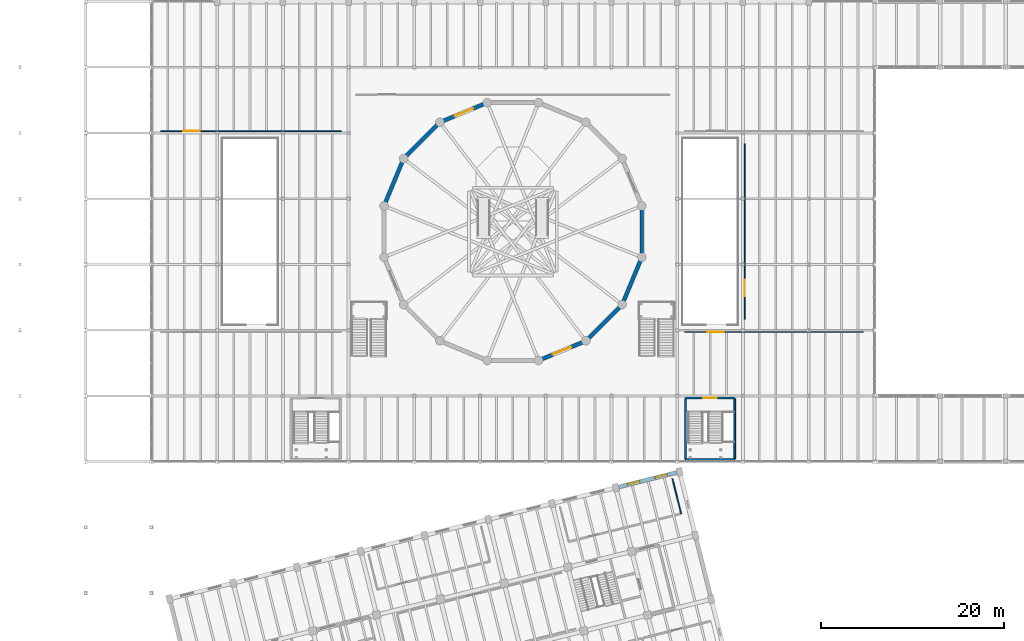
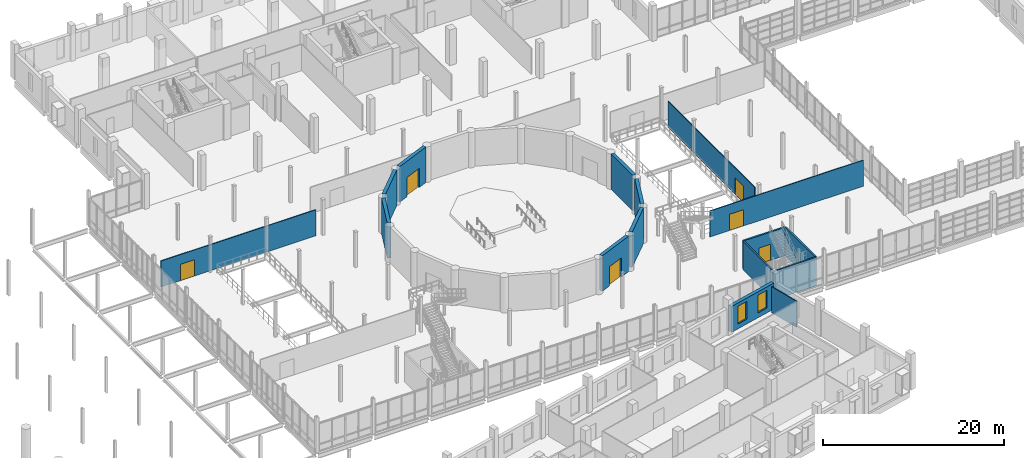
# One storey, part 64 of 77: 16 walls, 6 doors, 2 windows, 8 openings.
"""IFC4 building model written with IfcOpenShell, lengths in metres."""

from ifc_helpers import new_model, si_unit, direction, frame, frame_2d, origin, place, context, subcontext, project, spatial, rectangle, extrude, material, layer, layer_set, type_object, element, fill, save


model = new_model("IFC4")

# Units and contexts
model_context = context("Model", 3, precision=1e-05, world=origin(), true_north=direction((0.0, 1.0)))
body_context = subcontext(model_context, "Body", "Model", "MODEL_VIEW")
ifc_project = project(units=[si_unit("LENGTHUNIT", "METRE"), si_unit("AREAUNIT", "SQUARE_METRE"), si_unit("VOLUMEUNIT", "CUBIC_METRE"), si_unit("PLANEANGLEUNIT", "RADIAN"), si_unit("MASSUNIT", "GRAM", prefix="KILO")], contexts=[model_context])

# Site, building, storey
site_placement = place(None, origin())
site = spatial("IfcSite", under=ifc_project, at=site_placement, CompositionType="ELEMENT")
building_placement = place(site_placement, origin())
building = spatial("IfcBuilding", under=site, at=building_placement, Name="Qiaolan Assembly House", CompositionType="ELEMENT")
storey_placement = place(building_placement, frame((0.0, 0.0, 5.39990234375)))
storey = spatial("IfcBuildingStorey", under=building, at=storey_placement, Name="L01", CompositionType="ELEMENT", Elevation=5.39990234375)

# Wall, opening, door
ifc_material_1 = material(Name="Concrete C50/60", Category="concrete")
ifc_layer_1 = layer(ifc_material_1, 0.419921875)
ifc_layer_set_1 = layer_set([ifc_layer_1], Name="Concrete C50/60")
wall_type_1 = type_object("IfcWallType", Name="WAL-DRUM-420", PredefinedType="SHEAR", material=ifc_layer_set_1)
wall_1_placement = place(storey_placement, frame((60.769287109375, 73.326171875, 0.0), z_axis=(0.0, 0.0, 1.0), x_axis=(0.923882834003, 0.382675461762, 0.0)))
wall_1 = element("IfcWall", 1, at=wall_1_placement, inside=storey, type_object=wall_type_1, Name="DW-420 council chamber drum wall 5 L01", PredefinedType="SHEAR", context=body_context, shape_type="SweptSolid", body=[
    extrude(rectangle(XDim=4.818603515625, YDim=0.419921875, at=frame_2d((2.4091796875, 0.0))), origin(), (0.0, 0.0, 1.0), 4.800048828125),
])
opening_1_placement = place(wall_1_placement, frame((1.35009765625, 0.0, 0.0)))
opening_1 = element("IfcOpeningElement", 2, at=opening_1_placement, cuts=wall_1, Name="Opening CD-146", PredefinedType="OPENING", context=body_context, shape_type="SweptSolid", body=[
    extrude(rectangle(XDim=2.199951171875, YDim=2.60009765625, at=frame_2d((1.10009765625, 1.300048828125))), frame((0.0, 0.219970703125, 0.0), z_axis=(0.0, -1.0, 0.0), x_axis=(1.0, 0.0, 0.0)), (0.0, 0.0, 1.0), 0.43994140625),
])
ifc_material_2 = material(Name="Acoustic oak panelling")
door_type_1 = type_object("IfcDoorType", Name="DOR-CHAMBER-2200", OperationType="DOUBLE_DOOR_SINGLE_SWING", PredefinedType="DOOR", material=ifc_material_2)
door_1_placement = place(opening_1_placement, origin())
door_1 = element("IfcDoor", 3, at=door_1_placement, inside=storey, type_object=door_type_1, Name="Council Chamber ceremonial acoustic door CD-146", OperationType="DOUBLE_DOOR_SINGLE_SWING", OverallHeight=2.60009765625, OverallWidth=2.199951171875, PredefinedType="DOOR", context=body_context, shape_type="SweptSolid", body=[
    extrude(rectangle(XDim=2.199951171875, YDim=2.60009765625, at=frame_2d((1.10009765625, 1.300048828125))), frame((0.0, 0.02490234375, 0.0), z_axis=(0.0, -1.0, 0.0), x_axis=(1.0, 0.0, 0.0)), (0.0, 0.0, 1.0), 0.050048828125),
])
fill(opening_1, door_1)

# Walls
wall_2_placement = place(storey_placement, frame((56.709716796875, 69.483154296875, 0.0), z_axis=(0.0, 0.0, 1.0), x_axis=(0.707106781187, 0.707106781187, 0.0)))
element("IfcWall", 4, at=wall_2_placement, inside=storey, type_object=wall_type_1, Name="DW-420 council chamber drum wall 6 L01", PredefinedType="SHEAR", context=body_context, shape_type="SweptSolid", body=[
    extrude(rectangle(XDim=4.818603515625, YDim=0.419921875, at=frame_2d((2.4091796875, 0.0))), origin(), (0.0, 0.0, 1.0), 4.800048828125),
])
wall_3_placement = place(storey_placement, frame((54.4296875, 64.37890625, 0.0), z_axis=(0.0, 0.0, 1.0), x_axis=(0.382693375129, 0.923875414021, 0.0)))
element("IfcWall", 5, at=wall_3_placement, inside=storey, type_object=wall_type_1, Name="DW-420 council chamber drum wall 7 L01", PredefinedType="SHEAR", context=body_context, shape_type="SweptSolid", body=[
    extrude(rectangle(XDim=4.818359375, YDim=0.419921875, at=frame_2d((2.4091796875, 0.0))), origin(), (0.0, 0.0, 1.0), 4.800048828125),
])

# Wall, opening, door
wall_4_placement = place(storey_placement, frame((76.03076171875, 49.07373046875, 0.0), z_axis=(0.0, 0.0, 1.0), x_axis=(-0.923882834003, -0.382675461762, 0.0)))
wall_4 = element("IfcWall", 6, at=wall_4_placement, inside=storey, type_object=wall_type_1, Name="DW-420 council chamber drum wall 13 L01", PredefinedType="SHEAR", context=body_context, shape_type="SweptSolid", body=[
    extrude(rectangle(XDim=4.818603515625, YDim=0.419921875, at=frame_2d((2.4091796875, 0.0))), origin(), (0.0, 0.0, 1.0), 4.800048828125),
])
opening_2_placement = place(wall_4_placement, frame((1.35009765625, 0.0, 0.0)))
opening_2 = element("IfcOpeningElement", 7, at=opening_2_placement, cuts=wall_4, Name="Opening CD-152", PredefinedType="OPENING", context=body_context, shape_type="SweptSolid", body=[
    extrude(rectangle(XDim=2.199951171875, YDim=2.60009765625, at=frame_2d((1.10009765625, 1.300048828125))), frame((0.0, 0.219970703125, 0.0), z_axis=(0.0, -1.0, 0.0), x_axis=(1.0, 0.0, 0.0)), (0.0, 0.0, 1.0), 0.43994140625),
])
door_2_placement = place(opening_2_placement, origin())
door_2 = element("IfcDoor", 8, at=door_2_placement, inside=storey, type_object=door_type_1, Name="Council Chamber ceremonial acoustic door CD-152", OperationType="DOUBLE_DOOR_SINGLE_SWING", OverallHeight=2.60009765625, OverallWidth=2.199951171875, PredefinedType="DOOR", context=body_context, shape_type="SweptSolid", body=[
    extrude(rectangle(XDim=2.199951171875, YDim=2.60009765625, at=frame_2d((1.10009765625, 1.300048828125))), frame((0.0, 0.02490234375, 0.0), z_axis=(0.0, -1.0, 0.0), x_axis=(1.0, 0.0, 0.0)), (0.0, 0.0, 1.0), 0.050048828125),
])
fill(opening_2, door_2)

# Walls
for number, where, z_axis, x_axis, name in (
    (9, (80.09033203125, 52.9169921875, 0.0), (0.0, 0.0, 1.0), (-0.707106781187, -0.707106781187, 0.0), "DW-420 council chamber drum wall 14 L01"),
    (10, (82.3701171875, 58.021240234375, 0.0), (0.0, 0.0, 1.0), (-0.382675461762, -0.923882834003, 0.0), "DW-420 council chamber drum wall 15 L01"),
    (11, (82.523193359375, 63.609375, 0.0), (0.0, 0.0, 1.0), (0.0, -1.0, 0.0), "DW-420 council chamber drum wall 16 L01"),
):
    element("IfcWall", number, at=place(storey_placement, frame(where, z_axis=z_axis, x_axis=x_axis)), inside=storey, type_object=wall_type_1, Name=name, PredefinedType="SHEAR", context=body_context, shape_type="SweptSolid", body=[
        extrude(rectangle(XDim=4.818603515625, YDim=0.419921875, at=frame_2d((2.4091796875, 0.0))), origin(), (0.0, 0.0, 1.0), 4.800048828125),
    ])

# Wall, openings, windows
ifc_material_3 = material(Name="Honed pale limestone", Category="masonry")
ifc_layer_2 = layer(ifc_material_3, 0.43505859375)
ifc_layer_set_2 = layer_set([ifc_layer_2], Name="Honed pale limestone")
wall_type_2 = type_object("IfcWallType", Name="WAL-EXT-RUSTIC-420", PredefinedType="SOLIDWALL", material=ifc_layer_set_2)
wall_5_placement = place(storey_placement, frame((86.35009765625, 34.81494140625, 0.0), z_axis=(0.0, 0.0, 1.0), x_axis=(-0.970300061562, -0.241904507055, 0.0)))
wall_5 = element("IfcWall", 12, at=wall_5_placement, inside=storey, type_object=wall_type_2, Name="EW-420 SE North court wall L01 bay 8", PredefinedType="SOLIDWALL", context=body_context, shape_type="SweptSolid", body=[
    extrude(rectangle(XDim=6.553955078125, YDim=0.43505859375, at=frame_2d((3.27685546875, 0.0))), origin(), (0.0, 0.0, 1.0), 3.5),
])
opening_3_placement = place(wall_5_placement, frame((1.076904296875, 0.0, 0.64990234375)))
opening_3 = element("IfcOpeningElement", 13, at=opening_3_placement, cuts=wall_5, Name="Opening WN-276", PredefinedType="OPENING", context=body_context, shape_type="SweptSolid", body=[
    extrude(rectangle(XDim=1.35009765625, YDim=2.39990234375, at=frame_2d((0.675048828125, 1.199951171875))), frame((0.0, 0.2275390625, 0.0), z_axis=(0.0, -1.0, 0.0), x_axis=(1.0, 0.0, 0.0)), (0.0, 0.0, 1.0), 0.455078125),
])
opening_4_placement = place(wall_5_placement, frame((4.177001953125, 0.0, 0.64990234375)))
opening_4 = element("IfcOpeningElement", 14, at=opening_4_placement, cuts=wall_5, Name="Opening WN-277", PredefinedType="OPENING", context=body_context, shape_type="SweptSolid", body=[
    extrude(rectangle(XDim=1.35009765625, YDim=2.39990234375, at=frame_2d((0.675048828125, 1.199951171875))), frame((0.0, 0.2275390625, 0.0), z_axis=(0.0, -1.0, 0.0), x_axis=(1.0, 0.0, 0.0)), (0.0, 0.0, 1.0), 0.455078125),
])
ifc_material_4 = material(Name="Low-E double insulating glass", Category="glass")
window_type = type_object("IfcWindowType", Name="WIN-COURT-1350x2400", PartitioningType="DOUBLE_PANEL_VERTICAL", PredefinedType="WINDOW", material=ifc_material_4)
window_1_placement = place(opening_3_placement, origin())
window_1 = element("IfcWindow", 15, at=window_1_placement, inside=storey, type_object=window_type, Name="SE court window WN-276", OverallHeight=2.39990234375, OverallWidth=1.35009765625, PartitioningType="DOUBLE_PANEL_VERTICAL", PredefinedType="WINDOW", context=body_context, shape_type="SweptSolid", body=[
    extrude(rectangle(XDim=1.35009765625, YDim=2.39990234375, at=frame_2d((0.675048828125, 1.199951171875))), frame((0.0, 0.030029296875, 0.0), z_axis=(0.0, -1.0, 0.0), x_axis=(1.0, 0.0, 0.0)), (0.0, 0.0, 1.0), 0.06005859375),
])
fill(opening_3, window_1)
window_2_placement = place(opening_4_placement, origin())
window_2 = element("IfcWindow", 16, at=window_2_placement, inside=storey, type_object=window_type, Name="SE court window WN-277", OverallHeight=2.39990234375, OverallWidth=1.35009765625, PartitioningType="DOUBLE_PANEL_VERTICAL", PredefinedType="WINDOW", context=body_context, shape_type="SweptSolid", body=[
    extrude(rectangle(XDim=1.35009765625, YDim=2.39990234375, at=frame_2d((0.675048828125, 1.199951171875))), frame((0.0, 0.030029296875, 0.0), z_axis=(0.0, -1.0, 0.0), x_axis=(1.0, 0.0, 0.0)), (0.0, 0.0, 1.0), 0.06005859375),
])
fill(opening_4, window_2)

# Wall, opening, door
ifc_material_5 = material(Name="Concrete C35/45", Category="concrete")
ifc_layer_3 = layer(ifc_material_5, 0.199951171875)
ifc_layer_set_3 = layer_set([ifc_layer_3], Name="Concrete C35/45")
wall_type_3 = type_object("IfcWallType", Name="WAL-LOBBY-200", PredefinedType="PARTITIONING", material=ifc_layer_set_3)
wall_6_placement = place(storey_placement, frame((87.300048828125, 42.97998046875, 0.0), z_axis=(0.0, 0.0, 1.0), x_axis=(1.0, 0.0, 0.0)))
wall_6 = element("IfcWall", 17, at=wall_6_placement, inside=storey, type_object=wall_type_3, Name="LW-200 foyer stairwell north wall F2 L01", PredefinedType="PARTITIONING", context=body_context, shape_type="SweptSolid", body=[
    extrude(rectangle(XDim=5.39990234375, YDim=0.199951171875, at=frame_2d((2.699951171875, 0.0))), origin(), (0.0, 0.0, 1.0), 3.85009765625),
])
opening_5_placement = place(wall_6_placement, frame((1.949951171875, 0.0, 0.0)))
opening_5 = element("IfcOpeningElement", 18, at=opening_5_placement, cuts=wall_6, Name="Opening FD-921", PredefinedType="OPENING", context=body_context, shape_type="SweptSolid", body=[
    extrude(rectangle(XDim=1.5, YDim=2.199951171875, at=frame_2d((0.75, 1.10009765625))), frame((0.0, 0.10986328125, 0.0), z_axis=(0.0, -1.0, 0.0), x_axis=(1.0, 0.0, 0.0)), (0.0, 0.0, 1.0), 0.219970703125),
])
door_type_2 = type_object("IfcDoorType", Name="DOR-LOBBY-FD60-1500", OperationType="DOUBLE_DOOR_SINGLE_SWING", PredefinedType="DOOR", material=ifc_material_2)
door_3_placement = place(opening_5_placement, origin())
door_3 = element("IfcDoor", 19, at=door_3_placement, inside=storey, type_object=door_type_2, Name="Foyer stairwell fire door FD-921", OperationType="DOUBLE_DOOR_SINGLE_SWING", OverallHeight=2.199951171875, OverallWidth=1.5, PredefinedType="DOOR", context=body_context, shape_type="SweptSolid", body=[
    extrude(rectangle(XDim=1.5, YDim=2.199951171875, at=frame_2d((0.75, 1.10009765625))), frame((0.0, 0.02490234375, 0.0), z_axis=(0.0, -1.0, 0.0), x_axis=(1.0, 0.0, 0.0)), (0.0, 0.0, 1.0), 0.050048828125),
])
fill(opening_5, door_3)

# Walls
wall_7_placement = place(storey_placement, frame((92.699951171875, 36.219970703125, 0.0), z_axis=(0.0, 0.0, 1.0), x_axis=(-1.0, 0.0, 0.0)))
element("IfcWall", 20, at=wall_7_placement, inside=storey, type_object=wall_type_3, Name="LW-200 foyer stairwell south wall F2 L01", PredefinedType="PARTITIONING", context=body_context, shape_type="SweptSolid", body=[
    extrude(rectangle(XDim=5.39990234375, YDim=0.199951171875, at=frame_2d((2.699951171875, 0.0))), origin(), (0.0, 0.0, 1.0), 3.85009765625),
])
for number, where, z_axis, x_axis, name in (
    (21, (87.300048828125, 42.8798828125, 0.0), (0.0, 0.0, 1.0), (0.0, -1.0, 0.0), "LW-200 foyer stairwell west wall F2 L01"),
    (22, (92.699951171875, 36.320068359375, 0.0), (0.0, 0.0, 1.0), (0.0, 1.0, 0.0), "LW-200 foyer stairwell east wall F2 L01"),
):
    element("IfcWall", number, at=place(storey_placement, frame(where, z_axis=z_axis, x_axis=x_axis)), inside=storey, type_object=wall_type_3, Name=name, PredefinedType="PARTITIONING", context=body_context, shape_type="SweptSolid", body=[
        extrude(rectangle(XDim=6.559814453125, YDim=0.199951171875, at=frame_2d((3.27978515625, 0.0))), origin(), (0.0, 0.0, 1.0), 3.85009765625),
    ])
ifc_material_6 = material(Name="Gypsum plasterboard partition")
ifc_layer_4 = layer(ifc_material_6, 0.1201171875)
ifc_layer_set_4 = layer_set([ifc_layer_4], Name="Gypsum plasterboard partition")
wall_type_4 = type_object("IfcWallType", Name="WAL-PART-120", PredefinedType="PARTITIONING", material=ifc_layer_set_4)
wall_8_placement = place(storey_placement, frame((85.874755859375, 34.129638671875, 0.0), z_axis=(0.0, 0.0, 1.0), x_axis=(0.241910239337, -0.970298632434, 0.0)))
element("IfcWall", 23, at=wall_8_placement, inside=storey, type_object=wall_type_4, Name="Boulevard Wing Project Office L01 east wall", PredefinedType="PARTITIONING", context=body_context, shape_type="SweptSolid", body=[
    extrude(rectangle(XDim=3.9501953125, YDim=0.1201171875, at=frame_2d((1.97509765625, 0.0))), origin(), (0.0, 0.0, 1.0), 3.52001953125),
])

# Wall, opening, door
ifc_layer_5 = layer(ifc_material_4, 0.10498046875)
ifc_layer_set_5 = layer_set([ifc_layer_5], Name="Low-E double insulating glass")
wall_type_5 = type_object("IfcWallType", Name="WAL-PART-GLAZED-120", PredefinedType="PARTITIONING", material=ifc_layer_set_5)
wall_9_placement = place(storey_placement, frame((29.800048828125, 72.199951171875, 0.0), z_axis=(0.0, 0.0, 1.0), x_axis=(1.0, 0.0, 0.0)))
wall_9 = element("IfcWall", 24, at=wall_9_placement, inside=storey, type_object=wall_type_5, Name="West Mezzanine Public Hearing Suite glazed partition", PredefinedType="PARTITIONING", context=body_context, shape_type="SweptSolid", body=[
    extrude(rectangle(XDim=19.800048828125, YDim=0.10498046875, at=frame_2d((9.89990234375, 0.0))), origin(), (0.0, 0.0, 1.0), 3.52001953125),
])
opening_6_placement = place(wall_9_placement, frame((2.5, 0.0, 0.0)))
opening_6 = element("IfcOpeningElement", 25, at=opening_6_placement, cuts=wall_9, Name="Opening GD-162", PredefinedType="OPENING", context=body_context, shape_type="SweptSolid", body=[
    extrude(rectangle(XDim=1.800048828125, YDim=2.199951171875, at=frame_2d((0.89990234375, 1.10009765625))), frame((0.0, 0.0625, 0.0), z_axis=(0.0, -1.0, 0.0), x_axis=(1.0, 0.0, 0.0)), (0.0, 0.0, 1.0), 0.125),
])
ifc_material_7 = material(Name="Anodised bronze aluminium", Category="aluminium")
door_type_3 = type_object("IfcDoorType", Name="DOR-CORR-DBL-1800", OperationType="DOUBLE_DOOR_SINGLE_SWING", PredefinedType="DOOR", material=ifc_material_7)
door_4_placement = place(opening_6_placement, origin())
door_4 = element("IfcDoor", 26, at=door_4_placement, inside=storey, type_object=door_type_3, Name="West Mezzanine Public Hearing Suite door GD-162", OperationType="DOUBLE_DOOR_SINGLE_SWING", OverallHeight=2.199951171875, OverallWidth=1.800048828125, PredefinedType="DOOR", context=body_context, shape_type="SweptSolid", body=[
    extrude(rectangle(XDim=1.800048828125, YDim=2.199951171875, at=frame_2d((0.89990234375, 1.10009765625))), frame((0.0, 0.02490234375, 0.0), z_axis=(0.0, -1.0, 0.0), x_axis=(1.0, 0.0, 0.0)), (0.0, 0.0, 1.0), 0.050048828125),
])
fill(opening_6, door_4)

wall_10_placement = place(storey_placement, frame((87.199951171875, 50.199951171875, 0.0), z_axis=(0.0, 0.0, 1.0), x_axis=(1.0, 0.0, 0.0)))
wall_10 = element("IfcWall", 27, at=wall_10_placement, inside=storey, type_object=wall_type_5, Name="Municipal Press Briefing & Media Gallery glazed partition", PredefinedType="PARTITIONING", context=body_context, shape_type="SweptSolid", body=[
    extrude(rectangle(XDim=19.60009765625, YDim=0.10498046875, at=frame_2d((9.800048828125, 0.0))), origin(), (0.0, 0.0, 1.0), 3.52001953125),
])
opening_7_placement = place(wall_10_placement, frame((2.5, 0.0, 0.0)))
opening_7 = element("IfcOpeningElement", 28, at=opening_7_placement, cuts=wall_10, Name="Opening GD-163", PredefinedType="OPENING", context=body_context, shape_type="SweptSolid", body=[
    extrude(rectangle(XDim=1.800048828125, YDim=2.199951171875, at=frame_2d((0.89990234375, 1.10009765625))), frame((0.0, 0.0625, 0.0), z_axis=(0.0, -1.0, 0.0), x_axis=(1.0, 0.0, 0.0)), (0.0, 0.0, 1.0), 0.125),
])
door_5_placement = place(opening_7_placement, origin())
door_5 = element("IfcDoor", 29, at=door_5_placement, inside=storey, type_object=door_type_3, Name="Municipal Press Briefing & Media Gallery door GD-163", OperationType="DOUBLE_DOOR_SINGLE_SWING", OverallHeight=2.199951171875, OverallWidth=1.800048828125, PredefinedType="DOOR", context=body_context, shape_type="SweptSolid", body=[
    extrude(rectangle(XDim=1.800048828125, YDim=2.199951171875, at=frame_2d((0.89990234375, 1.10009765625))), frame((0.0, 0.02490234375, 0.0), z_axis=(0.0, -1.0, 0.0), x_axis=(1.0, 0.0, 0.0)), (0.0, 0.0, 1.0), 0.050048828125),
])
fill(opening_7, door_5)

wall_11_placement = place(storey_placement, frame((93.800048828125, 51.60009765625, 0.0), z_axis=(0.0, 0.0, 1.0), x_axis=(0.0, 1.0, 0.0)))
wall_11 = element("IfcWall", 30, at=wall_11_placement, inside=storey, type_object=wall_type_5, Name="East Broadcast & Translation Studio glazed partition", PredefinedType="PARTITIONING", context=body_context, shape_type="SweptSolid", body=[
    extrude(rectangle(XDim=19.199951171875, YDim=0.10498046875, at=frame_2d((9.60009765625, 0.0))), origin(), (0.0, 0.0, 1.0), 3.52001953125),
])
opening_8_placement = place(wall_11_placement, frame((2.5, 0.0, 0.0)))
opening_8 = element("IfcOpeningElement", 31, at=opening_8_placement, cuts=wall_11, Name="Opening GD-165", PredefinedType="OPENING", context=body_context, shape_type="SweptSolid", body=[
    extrude(rectangle(XDim=1.800048828125, YDim=2.199951171875, at=frame_2d((0.89990234375, 1.10009765625))), frame((0.0, 0.0625, 0.0), z_axis=(0.0, -1.0, 0.0), x_axis=(1.0, 0.0, 0.0)), (0.0, 0.0, 1.0), 0.125),
])
door_6_placement = place(opening_8_placement, origin())
door_6 = element("IfcDoor", 32, at=door_6_placement, inside=storey, type_object=door_type_3, Name="East Broadcast & Translation Studio door GD-165", OperationType="DOUBLE_DOOR_SINGLE_SWING", OverallHeight=2.199951171875, OverallWidth=1.800048828125, PredefinedType="DOOR", context=body_context, shape_type="SweptSolid", body=[
    extrude(rectangle(XDim=1.800048828125, YDim=2.199951171875, at=frame_2d((0.89990234375, 1.10009765625))), frame((0.0, 0.02490234375, 0.0), z_axis=(0.0, -1.0, 0.0), x_axis=(1.0, 0.0, 0.0)), (0.0, 0.0, 1.0), 0.050048828125),
])
fill(opening_8, door_6)

save(model, "model.ifc")
